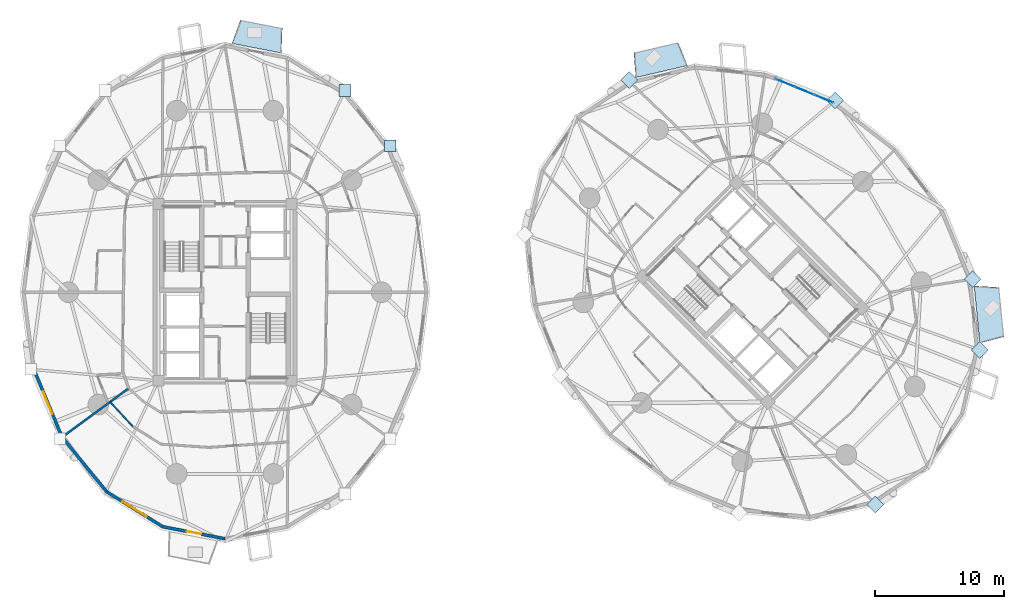
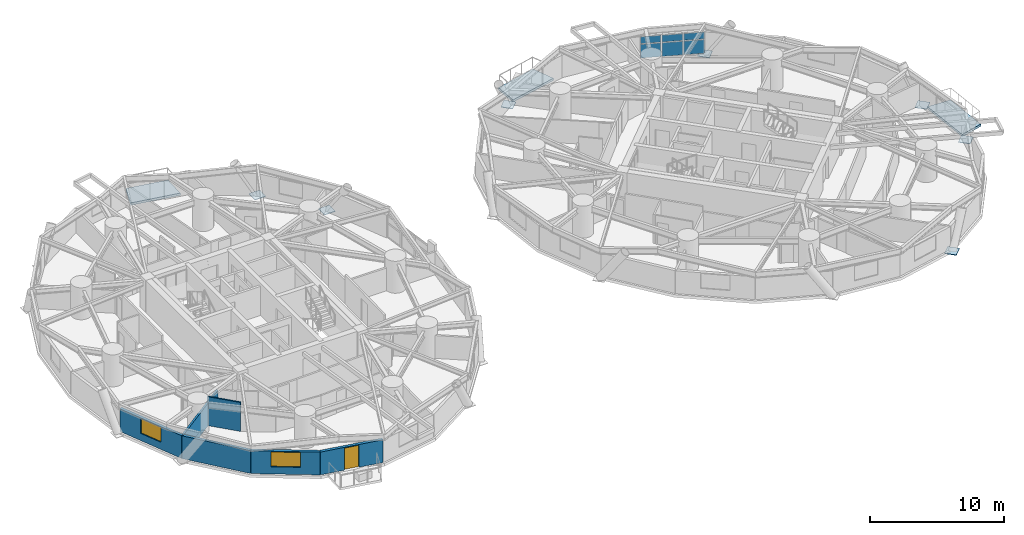
# One storey, part 9 of 19: 13 plates, 6 walls, 3 slabs, 2 windows, 1 door, 3 openings, 1 element without a shape of its own.
"""IFC4 building model written with IfcOpenShell, lengths in metres."""

from ifc_helpers import new_model, si_unit, direction, frame, frame_2d, origin, origin_2d, place, context, subcontext, project, spatial, polyline, rectangle, outline, extrude, source, transform, mapped, material, layer, layer_set, type_object, element, fill, aggregate, save


model = new_model("IFC4")

# Units and contexts
model_context = context("Model", 3, precision=1e-05, world=origin(), true_north=direction((0.0, 1.0)))
body_context = subcontext(model_context, "Body", "Model", "MODEL_VIEW")
ifc_project = project(units=[si_unit("LENGTHUNIT", "METRE"), si_unit("AREAUNIT", "SQUARE_METRE"), si_unit("VOLUMEUNIT", "CUBIC_METRE"), si_unit("PLANEANGLEUNIT", "RADIAN"), si_unit("MASSUNIT", "GRAM", prefix="KILO")], contexts=[model_context])

# Site, building, storey
site_placement = place(None, origin())
site = spatial("IfcSite", under=ifc_project, at=site_placement, CompositionType="ELEMENT")
building_placement = place(site_placement, origin())
building = spatial("IfcBuilding", under=site, at=building_placement, Name="Cununo Teusaquillo Station Towers", CompositionType="ELEMENT")
storey_placement = place(building_placement, frame((0.0, 0.0, 48.18994140625)))
storey = spatial("IfcBuildingStorey", under=building, at=storey_placement, Name="L14", CompositionType="ELEMENT", Elevation=48.18994140625)

# Slabs
ifc_material_1 = material(Name="Concrete C50/60", Category="concrete")
ifc_layer_1 = layer(ifc_material_1, 0.2099609375)
ifc_layer_set_1 = layer_set([ifc_layer_1], Name="Concrete C50/60")
slab_type = type_object("IfcSlabType", Name="SLB-BAL-210", PredefinedType="FLOOR", material=ifc_layer_set_1)
slab_1_placement = place(storey_placement, frame((0.0, 0.0, -0.2099609375)))
element("IfcSlab", 1, at=slab_1_placement, inside=storey, type_object=slab_type, Name="L14 Tower A Tree Balcony Slab 1", PredefinedType="FLOOR", context=body_context, shape_type="SweptSolid", body=[
    extrude(outline(polyline([(20.8876953125, 43.107421875), (17.041015625, 43.8505859375), (17.69873046875, 45.673828125), (20.956298828125, 45.04443359375), (20.8876953125, 43.107421875)])), origin(), (0.0, 0.0, 1.0), 0.2099609375),
])
slab_2_placement = place(storey_placement, frame((0.0, 0.0, -0.2099609375)))
element("IfcSlab", 2, at=slab_2_placement, inside=storey, type_object=slab_type, Name="L14 Tower B Tree Balcony Slab 1", PredefinedType="FLOOR", context=body_context, shape_type="SweptSolid", body=[
    extrude(outline(polyline([(52.462890625, 42.1328125), (48.43798828125, 41.193603515625), (48.295166015625, 43.126708984375), (51.735595703125, 43.9296875), (52.462890625, 42.1328125)])), origin(), (0.0, 0.0, 1.0), 0.2099609375),
])
slab_3_placement = place(storey_placement, frame((0.0, 0.0, -0.2099609375)))
element("IfcSlab", 3, at=slab_3_placement, inside=storey, type_object=slab_type, Name="L14 Tower B Tree Balcony Slab 2", PredefinedType="FLOOR", context=body_context, shape_type="SweptSolid", body=[
    extrude(outline(polyline([(75.20361328125, 20.547607421875), (74.763427734375, 24.98974609375), (76.69873046875, 24.8798828125), (77.079833984375, 21.034912109375), (75.20361328125, 20.547607421875)])), origin(), (0.0, 0.0, 1.0), 0.2099609375),
])

# Plates
ifc_material_2 = material(Name="Steel ASTM A572 Grade 50", Category="steel")
ifc_layer_2 = layer(ifc_material_2, 0.050048828125)
ifc_layer_set_2 = layer_set([ifc_layer_2], Name="Steel ASTM A572 Grade 50")
plate_type_1 = type_object("IfcPlateType", Name="PLT-NODE-DN1", PredefinedType="USERDEFINED", material=ifc_layer_set_2)
shared_shape_1 = source(origin(), body_context, "Body", "SweptSolid", [
    extrude(rectangle(XDim=0.919921875, YDim=0.919921875, at=origin_2d()), origin(), (0.0, 0.0, 1.0), 0.050048828125),
])
for number, where, z_axis, x_axis, name in (
    (4, (29.349609375, 35.897216796875, -0.1650390625), (0.0, 0.0, 1.0), (1.0, 0.0, 0.0), "L14 Tower A Diagrid Node Assembly C01"),
    (5, (25.835693359375, 40.186767578125, -0.1650390625), (0.0, 0.0, 1.0), (1.0, 0.0, 0.0), "L14 Tower A Diagrid Node Assembly C03"),
    (6, (63.9443359375, 39.418212890625, -0.1650390625), (0.0, 0.0, 1.0), (0.707106781187, 0.707106781187, 0.0), "L14 Tower B Diagrid Node Assembly C00"),
    (7, (47.930908203125, 41.01025390625, -0.1650390625), (0.0, 0.0, 1.0), (0.707106781187, 0.707106781187, 0.0), "L14 Tower B Diagrid Node Assembly C04"),
    (8, (67.069091796875, 7.98974609375, -0.1650390625), (0.0, 0.0, 1.0), (0.707106781187, 0.707106781187, 0.0), "L14 Tower B Diagrid Node Assembly C14"),
    (9, (75.193603515625, 20.00927734375, -0.1650390625), (0.0, 0.0, 1.0), (0.707106781187, 0.707106781187, 0.0), "L14 Tower B Diagrid Node Assembly C16"),
    (10, (74.64501953125, 25.527099609375, -0.1650390625), (0.0, 0.0, 1.0), (0.707106781187, 0.707106781187, 0.0), "L14 Tower B Diagrid Node Assembly C18"),
):
    element("IfcPlate", number, at=place(storey_placement, frame(where, z_axis=z_axis, x_axis=x_axis)), inside=storey, type_object=plate_type_1, Name=name, ObjectType="GUSSET PLATE", PredefinedType="USERDEFINED", context=body_context, shape_type="MappedRepresentation", body=[
        mapped(shared_shape_1, transform((0.0, 0.0, 0.0), x_axis=(1.0, 0.0, 0.0), y_axis=(0.0, 1.0, 0.0), z_axis=(0.0, 0.0, 1.0), scale=1.0)),
    ])

# Curtain wall, plates
ifc_material_3 = material(Name="Operable acoustic tinted low-E double glazing", Category="glass")
ifc_layer_3 = layer(ifc_material_3, 0.179931640625)
ifc_layer_set_3 = layer_set([ifc_layer_3], Name="Operable acoustic tinted low-E double glazing")
curtain_wall_type = type_object("IfcCurtainWallType", Name="CW-SYS-03", PredefinedType="USERDEFINED", material=ifc_layer_set_3)
curtain_wall_placement = place(storey_placement, origin())
curtain_wall = element("IfcCurtainWall", 11, at=curtain_wall_placement, inside=storey, type_object=curtain_wall_type, Name="L14 Tower B Facade Curtain Wall C01", ObjectType="OPERABLE GLAZING", PredefinedType="USERDEFINED")
ifc_material_4 = material(Name="Operable acoustic tinted low-E double glazing", Category="glass")
ifc_layer_4 = layer(ifc_material_4, 0.031982421875)
ifc_layer_set_4 = layer_set([ifc_layer_4], Name="Operable acoustic tinted low-E double glazing")
plate_type_2 = type_object("IfcPlateType", Name="CWP-OPER-32", PredefinedType="CURTAIN_PANEL", material=ifc_layer_set_4)
shared_shape_2 = source(origin(), body_context, "Body", "SweptSolid", [
    extrude(rectangle(XDim=1.541259765625, YDim=0.031982421875, at=origin_2d()), origin(), (0.0, 0.0, 1.0), 1.241943359375),
])
plate_1_placement = place(storey_placement, frame((60.0556640625, 40.783447265625, 0.0703125), z_axis=(0.0, 0.0, 1.0), x_axis=(0.924572384299, -0.381006438517, 0.0)))
plate_1 = element("IfcPlate", 12, at=plate_1_placement, type_object=plate_type_2, Name="CW-03 panel 1.1", PredefinedType="CURTAIN_PANEL", context=body_context, shape_type="MappedRepresentation", body=[
    mapped(shared_shape_2, transform((0.0, 0.0, 0.0), x_axis=(1.0, 0.0, 0.0), y_axis=(0.0, 1.0, 0.0), z_axis=(0.0, 0.0, 1.0), scale=1.0)),
])
plate_2_placement = place(storey_placement, frame((63.0673828125, 39.54248046875, 0.0703125), z_axis=(0.0, 0.0, 1.0), x_axis=(0.924572384299, -0.381006438517, 0.0)))
plate_2 = element("IfcPlate", 13, at=plate_2_placement, type_object=plate_type_2, Name="CW-03 panel 3.1", PredefinedType="CURTAIN_PANEL", context=body_context, shape_type="MappedRepresentation", body=[
    mapped(shared_shape_2, transform((0.0, 0.0, 0.0), x_axis=(1.0, 0.0, 0.0), y_axis=(0.0, 1.0, 0.0), z_axis=(0.0, 0.0, 1.0), scale=1.0)),
])
shared_shape_3 = source(origin(), body_context, "Body", "SweptSolid", [
    extrude(rectangle(XDim=1.541259765625, YDim=0.031982421875, at=origin_2d()), origin(), (0.0, 0.0, 1.0), 0.62109375),
])
plate_3_placement = place(storey_placement, frame((60.0556640625, 40.783447265625, 1.382080078125), z_axis=(0.0, 0.0, 1.0), x_axis=(0.924572384299, -0.381006438517, 0.0)))
plate_3 = element("IfcPlate", 14, at=plate_3_placement, type_object=plate_type_2, Name="CW-03 panel 1.2", PredefinedType="CURTAIN_PANEL", context=body_context, shape_type="MappedRepresentation", body=[
    mapped(shared_shape_3, transform((0.0, 0.0, 0.0), x_axis=(1.0, 0.0, 0.0), y_axis=(0.0, 1.0, 0.0), z_axis=(0.0, 0.0, 1.0), scale=1.0)),
])
plate_4_placement = place(storey_placement, frame((63.0673828125, 39.54248046875, 1.382080078125), z_axis=(0.0, 0.0, 1.0), x_axis=(0.924572384299, -0.381006438517, 0.0)))
plate_4 = element("IfcPlate", 15, at=plate_4_placement, type_object=plate_type_2, Name="CW-03 panel 3.2", PredefinedType="CURTAIN_PANEL", context=body_context, shape_type="MappedRepresentation", body=[
    mapped(shared_shape_3, transform((0.0, 0.0, 0.0), x_axis=(1.0, 0.0, 0.0), y_axis=(0.0, 1.0, 0.0), z_axis=(0.0, 0.0, 1.0), scale=1.0)),
])
shared_shape_4 = source(origin(), body_context, "Body", "SweptSolid", [
    extrude(rectangle(XDim=1.576171875, YDim=0.031982421875, at=origin_2d()), origin(), (0.0, 0.0, 1.0), 1.241943359375),
])
plate_5_placement = place(storey_placement, frame((61.5615234375, 40.1630859375, 0.0703125), z_axis=(0.0, 0.0, 1.0), x_axis=(0.924572384299, -0.381006438517, 0.0)))
plate_5 = element("IfcPlate", 16, at=plate_5_placement, type_object=plate_type_2, Name="CW-03 panel 2.1", PredefinedType="CURTAIN_PANEL", context=body_context, shape_type="MappedRepresentation", body=[
    mapped(shared_shape_4, transform((0.0, 0.0, 0.0), x_axis=(1.0, 0.0, 0.0), y_axis=(0.0, 1.0, 0.0), z_axis=(0.0, 0.0, 1.0), scale=1.0)),
])
shared_shape_5 = source(origin(), body_context, "Body", "SweptSolid", [
    extrude(rectangle(XDim=1.576171875, YDim=0.031982421875, at=origin_2d()), origin(), (0.0, 0.0, 1.0), 0.62109375),
])
plate_6_placement = place(storey_placement, frame((61.5615234375, 40.1630859375, 1.382080078125), z_axis=(0.0, 0.0, 1.0), x_axis=(0.924572384299, -0.381006438517, 0.0)))
plate_6 = element("IfcPlate", 17, at=plate_6_placement, type_object=plate_type_2, Name="CW-03 panel 2.2", PredefinedType="CURTAIN_PANEL", context=body_context, shape_type="MappedRepresentation", body=[
    mapped(shared_shape_5, transform((0.0, 0.0, 0.0), x_axis=(1.0, 0.0, 0.0), y_axis=(0.0, 1.0, 0.0), z_axis=(0.0, 0.0, 1.0), scale=1.0)),
])
aggregate(curtain_wall, [plate_1, plate_3, plate_5, plate_6, plate_2, plate_4])

# Wall, opening, window
ifc_material_5 = material(Name="Precast concrete C40/50", Category="concrete")
ifc_layer_5 = layer(ifc_material_5, 0.239990234375)
ifc_layer_set_5 = layer_set([ifc_layer_5], Name="Precast concrete C40/50")
wall_type_1 = type_object("IfcWallType", Name="WL-EXT-240", PredefinedType="SOLIDWALL", material=ifc_layer_set_5)
wall_1_placement = place(storey_placement, frame((3.828369140625, 13.232177734375, 0.0), z_axis=(0.0, 0.0, 1.0), x_axis=(-0.384348836956, 0.923187939442, 0.0)))
wall_1 = element("IfcWall", 18, at=wall_1_placement, inside=storey, type_object=wall_type_1, Name="L14 Tower A Exterior Facade Wall C11", PredefinedType="SOLIDWALL", context=body_context, shape_type="SweptSolid", body=[
    extrude(rectangle(XDim=5.78857421875, YDim=0.239990234375, at=frame_2d((2.894287109375, 0.0))), origin(), (0.0, 0.0, 1.0), 2.072998046875),
])
shared_shape_6 = source(origin(), body_context, "Body", "SweptSolid", [
    extrude(rectangle(XDim=1.89990234375, YDim=1.35009765625, at=frame_2d((0.949951171875, 0.675048828125))), frame((0.0, 0.1298828125, 0.0), z_axis=(0.0, -1.0, 0.0), x_axis=(1.0, 0.0, 0.0)), (0.0, 0.0, 1.0), 0.260009765625),
])
opening_1_placement = place(wall_1_placement, frame((1.944091796875, 0.0, 0.64990234375)))
opening_1 = element("IfcOpeningElement", 19, at=opening_1_placement, cuts=wall_1, Name="Opening WN-02", PredefinedType="OPENING", context=body_context, shape_type="MappedRepresentation", body=[
    mapped(shared_shape_6, transform((0.0, 0.0, 0.0), x_axis=(1.0, 0.0, 0.0), y_axis=(0.0, 1.0, 0.0), z_axis=(0.0, 0.0, 1.0), scale=1.0)),
])
ifc_material_6 = material(Name="Operable acoustic tinted low-E double glazing", Category="glass")
window_type_1 = type_object("IfcWindowType", Name="WIN-OPER-1900", PartitioningType="DOUBLE_PANEL_VERTICAL", PredefinedType="WINDOW", material=ifc_material_6)
shared_shape_7 = source(origin(), body_context, "Body", "SweptSolid", [
    extrude(rectangle(XDim=1.89990234375, YDim=1.35009765625, at=frame_2d((0.949951171875, 0.675048828125))), frame((0.0, 0.030029296875, 0.0), z_axis=(0.0, -1.0, 0.0), x_axis=(1.0, 0.0, 0.0)), (0.0, 0.0, 1.0), 0.06005859375),
])
window_1_placement = place(opening_1_placement, origin())
window_1 = element("IfcWindow", 20, at=window_1_placement, inside=storey, type_object=window_type_1, Name="L14 Tower A Facade Window C11", OverallHeight=1.35009765625, OverallWidth=1.89990234375, PartitioningType="DOUBLE_PANEL_VERTICAL", PredefinedType="WINDOW", context=body_context, shape_type="MappedRepresentation", body=[
    mapped(shared_shape_7, transform((0.0, 0.0, 0.0), x_axis=(1.0, 0.0, 0.0), y_axis=(0.0, 1.0, 0.0), z_axis=(0.0, 0.0, 1.0), scale=1.0)),
])
fill(opening_1, window_1)

# Wall
wall_2_placement = place(storey_placement, frame((7.29345703125, 8.9912109375, 0.0), z_axis=(0.0, 0.0, 1.0), x_axis=(-0.632713287022, 0.77438614168, 0.0)))
element("IfcWall", 21, at=wall_2_placement, inside=storey, type_object=wall_type_1, Name="L14 Tower A Exterior Facade Wall C12", PredefinedType="SOLIDWALL", context=body_context, shape_type="SweptSolid", body=[
    extrude(rectangle(XDim=5.4765625, YDim=0.239990234375, at=frame_2d((2.73828125, 0.0))), origin(), (0.0, 0.0, 1.0), 2.072998046875),
])

# Wall, opening, window
wall_3_placement = place(storey_placement, frame((11.659912109375, 6.268310546875, 0.0), z_axis=(0.0, 0.0, 1.0), x_axis=(-0.848533613342, 0.529141481107, 0.0)))
wall_3 = element("IfcWall", 22, at=wall_3_placement, inside=storey, type_object=wall_type_1, Name="L14 Tower A Exterior Facade Wall C13", PredefinedType="SOLIDWALL", context=body_context, shape_type="SweptSolid", body=[
    extrude(rectangle(XDim=5.14599609375, YDim=0.239990234375, at=frame_2d((2.572998046875, 0.0))), origin(), (0.0, 0.0, 1.0), 2.072998046875),
])
shared_shape_8 = source(origin(), body_context, "Body", "SweptSolid", [
    extrude(rectangle(XDim=2.199951171875, YDim=1.35009765625, at=frame_2d((1.10009765625, 0.675048828125))), frame((0.0, 0.1298828125, 0.0), z_axis=(0.0, -1.0, 0.0), x_axis=(1.0, 0.0, 0.0)), (0.0, 0.0, 1.0), 0.260009765625),
])
opening_2_placement = place(wall_3_placement, frame((1.472900390625, 0.0, 0.64990234375)))
opening_2 = element("IfcOpeningElement", 23, at=opening_2_placement, cuts=wall_3, Name="Opening WN-01", PredefinedType="OPENING", context=body_context, shape_type="MappedRepresentation", body=[
    mapped(shared_shape_8, transform((0.0, 0.0, 0.0), x_axis=(1.0, 0.0, 0.0), y_axis=(0.0, 1.0, 0.0), z_axis=(0.0, 0.0, 1.0), scale=1.0)),
])
ifc_material_7 = material(Name="Ceramic-fritted dark low-E double glazing", Category="glass")
window_type_2 = type_object("IfcWindowType", Name="WIN-FRIT-2200", PartitioningType="DOUBLE_PANEL_VERTICAL", PredefinedType="WINDOW", material=ifc_material_7)
shared_shape_9 = source(origin(), body_context, "Body", "SweptSolid", [
    extrude(rectangle(XDim=2.199951171875, YDim=1.35009765625, at=frame_2d((1.10009765625, 0.675048828125))), frame((0.0, 0.030029296875, 0.0), z_axis=(0.0, -1.0, 0.0), x_axis=(1.0, 0.0, 0.0)), (0.0, 0.0, 1.0), 0.06005859375),
])
window_2_placement = place(opening_2_placement, origin())
window_2 = element("IfcWindow", 24, at=window_2_placement, inside=storey, type_object=window_type_2, Name="L14 Tower A Facade Window C13", OverallHeight=1.35009765625, OverallWidth=2.199951171875, PartitioningType="DOUBLE_PANEL_VERTICAL", PredefinedType="WINDOW", context=body_context, shape_type="MappedRepresentation", body=[
    mapped(shared_shape_9, transform((0.0, 0.0, 0.0), x_axis=(1.0, 0.0, 0.0), y_axis=(0.0, 1.0, 0.0), z_axis=(0.0, 0.0, 1.0), scale=1.0)),
])
fill(opening_2, window_2)

# Wall, opening, door
wall_4_placement = place(storey_placement, frame((16.5, 5.330078125, 0.0), z_axis=(0.0, 0.0, 1.0), x_axis=(-0.981725274071, 0.190303668512, 0.0)))
wall_4 = element("IfcWall", 25, at=wall_4_placement, inside=storey, type_object=wall_type_1, Name="L14 Tower A Exterior Facade Wall C14", PredefinedType="SOLIDWALL", context=body_context, shape_type="SweptSolid", body=[
    extrude(rectangle(XDim=4.93017578125, YDim=0.239990234375, at=frame_2d((2.465087890625, 0.0))), origin(), (0.0, 0.0, 1.0), 2.072998046875),
])
shared_shape_10 = source(origin(), body_context, "Body", "SweptSolid", [
    extrude(rectangle(XDim=1.14990234375, YDim=2.0048828125, at=frame_2d((0.574951171875, 1.00244140625))), frame((0.0, 0.1298828125, 0.0), z_axis=(0.0, -1.0, 0.0), x_axis=(1.0, 0.0, 0.0)), (0.0, 0.0, 1.0), 0.260009765625),
])
opening_3_placement = place(wall_4_placement, frame((1.889892578125, 0.0, 0.0)))
opening_3 = element("IfcOpeningElement", 26, at=opening_3_placement, cuts=wall_4, Name="Opening ED-03", PredefinedType="OPENING", context=body_context, shape_type="MappedRepresentation", body=[
    mapped(shared_shape_10, transform((0.0, 0.0, 0.0), x_axis=(1.0, 0.0, 0.0), y_axis=(0.0, 1.0, 0.0), z_axis=(0.0, 0.0, 1.0), scale=1.0)),
])
ifc_material_8 = material(Name="Anodised dark bronze aluminium EN AW-6063-T6", Category="aluminium")
door_type = type_object("IfcDoorType", Name="DR-EXT-BAL", OperationType="NOTDEFINED", PredefinedType="DOOR", material=ifc_material_8)
shared_shape_11 = source(origin(), body_context, "Body", "SweptSolid", [
    extrude(rectangle(XDim=1.14990234375, YDim=2.0048828125, at=frame_2d((0.574951171875, 1.00244140625))), frame((0.0, 0.02490234375, 0.0), z_axis=(0.0, -1.0, 0.0), x_axis=(1.0, 0.0, 0.0)), (0.0, 0.0, 1.0), 0.050048828125),
])
door_placement = place(opening_3_placement, origin())
door = element("IfcDoor", 27, at=door_placement, inside=storey, type_object=door_type, Name="L14 Tower A Tree Balcony Door C14", OperationType="SINGLE_SWING_LEFT", OverallHeight=2.0048828125, OverallWidth=1.14990234375, PredefinedType="DOOR", context=body_context, shape_type="MappedRepresentation", body=[
    mapped(shared_shape_11, transform((0.0, 0.0, 0.0), x_axis=(1.0, 0.0, 0.0), y_axis=(0.0, 1.0, 0.0), z_axis=(0.0, 0.0, 1.0), scale=1.0)),
])
fill(opening_3, door)

# Walls
ifc_material_9 = material(Name="Fire-rated gypsum plasterboard partition assembly", Category="gypsum")
ifc_layer_6 = layer(ifc_material_9, 0.125)
ifc_layer_set_6 = layer_set([ifc_layer_6], Name="Fire-rated gypsum plasterboard partition assembly")
wall_type_2 = type_object("IfcWallType", Name="WL-PART-125", PredefinedType="PARTITIONING", material=ifc_layer_set_6)
wall_5_placement = place(storey_placement, frame((7.56396484375, 15.97314453125, 0.0), z_axis=(0.0, 0.0, 1.0), x_axis=(0.678576389573, -0.734529838409, 0.0)))
element("IfcWall", 28, at=wall_5_placement, inside=storey, type_object=wall_type_2, Name="L14 Tower A Hotel Sommelier & Wine Salon Concentric Partition Wall C12", PredefinedType="PARTITIONING", context=body_context, shape_type="SweptSolid", body=[
    extrude(rectangle(XDim=2.6005859375, YDim=0.125, at=frame_2d((1.30029296875, 0.0))), origin(), (0.0, 0.0, 1.0), 2.635009765625),
])
ifc_material_10 = material(Name="Fire-rated gypsum plasterboard partition assembly", Category="gypsum")
ifc_layer_7 = layer(ifc_material_10, 0.159912109375)
ifc_layer_set_7 = layer_set([ifc_layer_7], Name="Fire-rated gypsum plasterboard partition assembly")
wall_type_3 = type_object("IfcWallType", Name="WL-PART-160", PredefinedType="PARTITIONING", material=ifc_layer_set_7)
wall_6_placement = place(storey_placement, frame((9.01025390625, 17.034423828125, 0.0), z_axis=(0.0, 0.0, 1.0), x_axis=(-0.806234156757, -0.591596555499, 0.0)))
element("IfcWall", 29, at=wall_6_placement, inside=storey, type_object=wall_type_3, Name="L14 Tower A Radial Suite Partition R07", PredefinedType="PARTITIONING", context=body_context, shape_type="SweptSolid", body=[
    extrude(rectangle(XDim=6.4072265625, YDim=0.159912109375, at=frame_2d((3.20361328125, 0.0))), origin(), (0.0, 0.0, 1.0), 2.072998046875),
])

save(model, "model.ifc")
